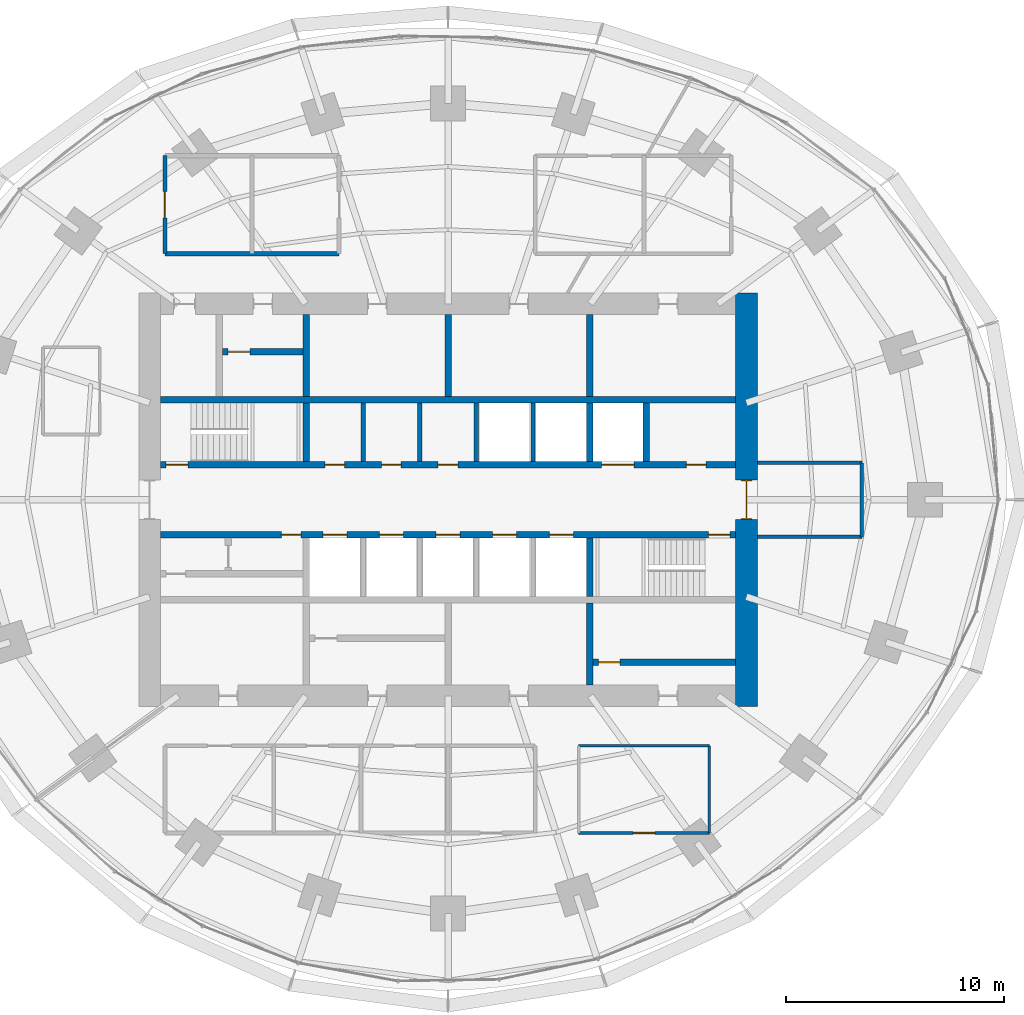
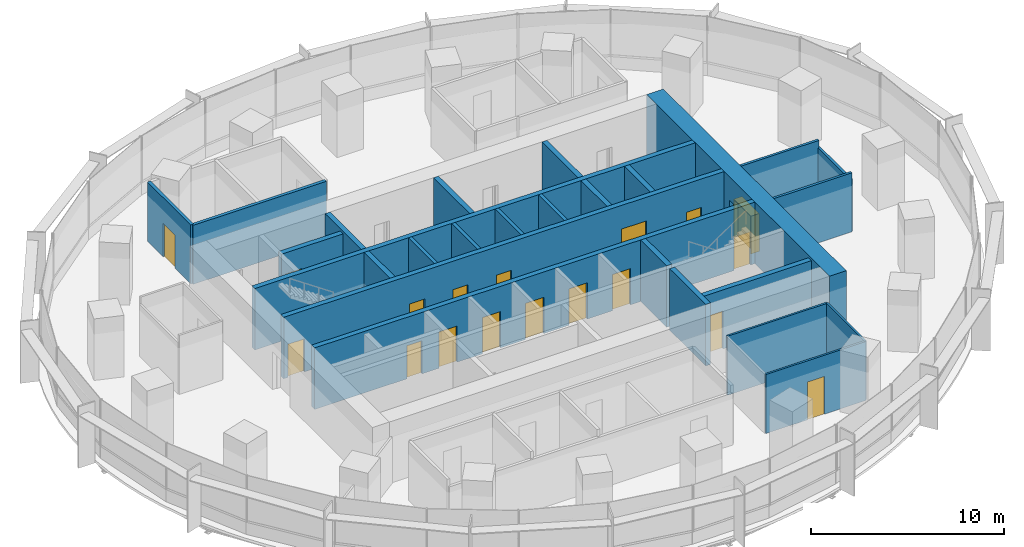
# One storey, part 11 of 14: 26 walls, 18 doors, 18 openings.
"""IFC4 building model written with IfcOpenShell, lengths in metres."""

from ifc_helpers import new_model, si_unit, direction, frame, frame_2d, origin, place, context, subcontext, project, spatial, rectangle, extrude, material, layer, layer_set, type_object, element, fill, save


model = new_model("IFC4")

# Units and contexts
model_context = context("Model", 3, precision=1e-05, world=origin(), true_north=direction((0.0, 1.0)))
body_context = subcontext(model_context, "Body", "Model", "MODEL_VIEW")
ifc_project = project(units=[si_unit("LENGTHUNIT", "METRE"), si_unit("AREAUNIT", "SQUARE_METRE"), si_unit("VOLUMEUNIT", "CUBIC_METRE"), si_unit("PLANEANGLEUNIT", "RADIAN"), si_unit("MASSUNIT", "GRAM", prefix="KILO")], contexts=[model_context])

# Site, building, storey
site_placement = place(None, origin())
site = spatial("IfcSite", under=ifc_project, at=site_placement, CompositionType="ELEMENT")
building_placement = place(site_placement, origin())
building = spatial("IfcBuilding", under=site, at=building_placement, Name="Marramba Exchange Tower", CompositionType="ELEMENT")
storey_placement = place(building_placement, frame((0.0, 0.0, 143.10009765625)))
storey = spatial("IfcBuildingStorey", under=building, at=storey_placement, Name="L34", CompositionType="ELEMENT", Elevation=143.10009765625)

# Walls
ifc_material_1 = material(Name="Concrete N50", Category="concrete")
ifc_layer_1 = layer(ifc_material_1, 0.199951171875)
ifc_layer_set_1 = layer_set([ifc_layer_1], Name="Core shaft wall 200")
wall_type_1 = type_object("IfcWallType", Name="Core shaft wall 200", PredefinedType="SHEAR", material=ifc_layer_set_1)
for number, where, z_axis, x_axis, name in (
    (1, (-3.89990234375, 1.75, 0.0), (0.0, 0.0, 1.0), (0.0, 1.0, 0.0), "Core wall SHN1 L34"),
    (2, (-1.300048828125, 1.75, 0.0), (0.0, 0.0, 1.0), (0.0, 1.0, 0.0), "Core wall SHN2 L34"),
    (3, (1.300048828125, 1.75, 0.0), (0.0, 0.0, 1.0), (0.0, 1.0, 0.0), "Core wall SHN3 L34"),
    (4, (3.89990234375, 1.75, 0.0), (0.0, 0.0, 1.0), (0.0, 1.0, 0.0), "Core wall SHN4 L34"),
):
    element("IfcWall", number, at=place(storey_placement, frame(where, z_axis=z_axis, x_axis=x_axis)), inside=storey, type_object=wall_type_1, Name=name, PredefinedType="SHEAR", context=body_context, shape_type="SweptSolid", body=[
        extrude(rectangle(XDim=2.699951171875, YDim=0.199951171875, at=frame_2d((1.35009765625, 0.0))), origin(), (0.0, 0.0, 1.0), 3.89990234375),
    ])

# Wall, opening, door
ifc_layer_2 = layer(ifc_material_1, 1.0)
ifc_layer_set_2 = layer_set([ifc_layer_2], Name="Core wall 1000")
wall_type_2 = type_object("IfcWallType", Name="Core wall 1000", PredefinedType="SHEAR", material=ifc_layer_set_2)
wall_1_placement = place(storey_placement, frame((13.699951171875, -9.5, 0.0), z_axis=(0.0, 0.0, 1.0), x_axis=(0.0, 1.0, 0.0)))
wall_1 = element("IfcWall", 5, at=wall_1_placement, inside=storey, type_object=wall_type_2, Name="Core wall E L34", PredefinedType="SHEAR", context=body_context, shape_type="SweptSolid", body=[
    extrude(rectangle(XDim=19.0, YDim=1.0, at=frame_2d((9.5, 0.0))), origin(), (0.0, 0.0, 1.0), 3.89990234375),
])
opening_1_placement = place(wall_1_placement, frame((8.60009765625, 0.0, 0.0)))
opening_1 = element("IfcOpeningElement", 6, at=opening_1_placement, cuts=wall_1, Name="Opening D1", PredefinedType="OPENING", context=body_context, shape_type="SweptSolid", body=[
    extrude(rectangle(XDim=1.800048828125, YDim=2.39990234375, at=frame_2d((0.89990234375, 1.199951171875))), frame((0.0, 0.510009765625, 0.0), z_axis=(0.0, -1.0, 0.0), x_axis=(1.0, 0.0, 0.0)), (0.0, 0.0, 1.0), 1.02001953125),
])
ifc_material_2 = material(Name="Steel-framed door", Category="steel")
door_type_1 = type_object("IfcDoorType", Name="Lobby exit door 1800x2400", OperationType="DOUBLE_DOOR_SINGLE_SWING", PredefinedType="DOOR", material=ifc_material_2)
door_1_placement = place(opening_1_placement, frame((1.800048828125, 0.0, 0.0), z_axis=(0.0, 0.0, 1.0), x_axis=(-1.0, 0.0, 0.0)))
door_1 = element("IfcDoor", 7, at=door_1_placement, inside=storey, type_object=door_type_1, Name="D1 lobby exit east L34", OperationType="DOUBLE_DOOR_SINGLE_SWING", OverallHeight=2.39990234375, OverallWidth=1.800048828125, PredefinedType="DOOR", context=body_context, shape_type="SweptSolid", body=[
    extrude(rectangle(XDim=1.719970703125, YDim=2.35986328125, at=frame_2d((0.900146484375, 1.179931640625))), frame((0.0, 0.025146484375, 0.0), z_axis=(0.0, -1.0, 0.0), x_axis=(1.0, 0.0, 0.0)), (0.0, 0.0, 1.0), 0.050048828125),
    extrude(rectangle(XDim=0.04, YDim=2.39990234375, at=frame_2d((1.780029296875, 1.199951171875))), frame((0.0, 0.25, 0.0), z_axis=(0.0, -1.0, 0.0), x_axis=(1.0, 0.0, 0.0)), (0.0, 0.0, 1.0), 0.5),
    extrude(rectangle(XDim=0.04, YDim=2.39990234375, at=frame_2d((0.02001953125, 1.199951171875))), frame((0.0, 0.25, 0.0), z_axis=(0.0, -1.0, 0.0), x_axis=(1.0, 0.0, 0.0)), (0.0, 0.0, 1.0), 0.5),
    extrude(rectangle(XDim=1.719970703125, YDim=0.04, at=frame_2d((0.900146484375, 2.3798828125))), frame((0.0, 0.25, 0.0), z_axis=(0.0, -1.0, 0.0), x_axis=(1.0, 0.0, 0.0)), (0.0, 0.0, 1.0), 0.5),
])
fill(opening_1, door_1)

# Wall, openings, doors
ifc_layer_3 = layer(ifc_material_1, 0.300048828125)
ifc_layer_set_3 = layer_set([ifc_layer_3], Name="Core wall 300")
wall_type_3 = type_object("IfcWallType", Name="Core wall 300", PredefinedType="SHEAR", material=ifc_layer_set_3)
wall_2_placement = place(storey_placement, frame((-13.199951171875, 1.60009765625, 0.0), z_axis=(0.0, 0.0, 1.0), x_axis=(1.0, 0.0, 0.0)))
wall_2 = element("IfcWall", 8, at=wall_2_placement, inside=storey, type_object=wall_type_3, Name="Core wall LN L34", PredefinedType="SHEAR", context=body_context, shape_type="SweptSolid", body=[
    extrude(rectangle(XDim=26.39990234375, YDim=0.300048828125, at=frame_2d((13.199951171875, 0.0))), origin(), (0.0, 0.0, 1.0), 3.89990234375),
])
opening_2_placement = place(wall_2_placement, frame((0.25, 0.0, 0.0)))
opening_2 = element("IfcOpeningElement", 9, at=opening_2_placement, cuts=wall_2, Name="Opening D2", PredefinedType="OPENING", context=body_context, shape_type="SweptSolid", body=[
    extrude(rectangle(XDim=1.0, YDim=2.10009765625, at=frame_2d((0.5, 1.050048828125))), frame((0.0, 0.159912109375, 0.0), z_axis=(0.0, -1.0, 0.0), x_axis=(1.0, 0.0, 0.0)), (0.0, 0.0, 1.0), 0.320068359375),
])
opening_3_placement = place(wall_2_placement, frame((20.25, 0.0, 0.0)))
opening_3 = element("IfcOpeningElement", 10, at=opening_3_placement, cuts=wall_2, Name="Opening LD3", PredefinedType="OPENING", context=body_context, shape_type="SweptSolid", body=[
    extrude(rectangle(XDim=1.5, YDim=2.39990234375, at=frame_2d((0.75, 1.199951171875))), frame((0.0, 0.159912109375, 0.0), z_axis=(0.0, -1.0, 0.0), x_axis=(1.0, 0.0, 0.0)), (0.0, 0.0, 1.0), 0.320068359375),
])
opening_4_placement = place(wall_2_placement, frame((7.550048828125, 0.0, 0.0)))
opening_4 = element("IfcOpeningElement", 11, at=opening_4_placement, cuts=wall_2, Name="Opening D5", PredefinedType="OPENING", context=body_context, shape_type="SweptSolid", body=[
    extrude(rectangle(XDim=0.89990234375, YDim=2.10009765625, at=frame_2d((0.449951171875, 1.050048828125))), frame((0.0, 0.159912109375, 0.0), z_axis=(0.0, -1.0, 0.0), x_axis=(1.0, 0.0, 0.0)), (0.0, 0.0, 1.0), 0.320068359375),
])
opening_5_placement = place(wall_2_placement, frame((10.14990234375, 0.0, 0.0)))
opening_5 = element("IfcOpeningElement", 12, at=opening_5_placement, cuts=wall_2, Name="Opening D5", PredefinedType="OPENING", context=body_context, shape_type="SweptSolid", body=[
    extrude(rectangle(XDim=0.89990234375, YDim=2.10009765625, at=frame_2d((0.449951171875, 1.050048828125))), frame((0.0, 0.159912109375, 0.0), z_axis=(0.0, -1.0, 0.0), x_axis=(1.0, 0.0, 0.0)), (0.0, 0.0, 1.0), 0.320068359375),
])
opening_6_placement = place(wall_2_placement, frame((12.75, 0.0, 0.0)))
opening_6 = element("IfcOpeningElement", 13, at=opening_6_placement, cuts=wall_2, Name="Opening D5", PredefinedType="OPENING", context=body_context, shape_type="SweptSolid", body=[
    extrude(rectangle(XDim=0.89990234375, YDim=2.10009765625, at=frame_2d((0.449951171875, 1.050048828125))), frame((0.0, 0.159912109375, 0.0), z_axis=(0.0, -1.0, 0.0), x_axis=(1.0, 0.0, 0.0)), (0.0, 0.0, 1.0), 0.320068359375),
])
opening_7_placement = place(wall_2_placement, frame((24.14990234375, 0.0, 0.0)))
opening_7 = element("IfcOpeningElement", 14, at=opening_7_placement, cuts=wall_2, Name="Opening D5", PredefinedType="OPENING", context=body_context, shape_type="SweptSolid", body=[
    extrude(rectangle(XDim=0.89990234375, YDim=2.10009765625, at=frame_2d((0.449951171875, 1.050048828125))), frame((0.0, 0.159912109375, 0.0), z_axis=(0.0, -1.0, 0.0), x_axis=(1.0, 0.0, 0.0)), (0.0, 0.0, 1.0), 0.320068359375),
])
door_type_2 = type_object("IfcDoorType", Name="Goods lift landing door 1500x2400", OperationType="SLIDING_TO_LEFT", PredefinedType="DOOR", material=ifc_material_2)
door_2_placement = place(opening_3_placement, origin())
door_2 = element("IfcDoor", 15, at=door_2_placement, inside=storey, type_object=door_type_2, Name="GL1 landing door L34", OperationType="SLIDING_TO_LEFT", OverallHeight=2.39990234375, OverallWidth=1.5, PredefinedType="DOOR", context=body_context, shape_type="SweptSolid", body=[
    extrude(rectangle(XDim=1.5, YDim=2.39990234375, at=frame_2d((0.75, 1.199951171875))), frame((0.0, 0.02490234375, 0.0), z_axis=(0.0, -1.0, 0.0), x_axis=(1.0, 0.0, 0.0)), (0.0, 0.0, 1.0), 0.050048828125),
])
fill(opening_3, door_2)
door_type_3 = type_object("IfcDoorType", Name="Service door 900x2100", OperationType="SINGLE_SWING_LEFT", PredefinedType="DOOR", material=ifc_material_2)
door_3_placement = place(opening_4_placement, origin())
door_3 = element("IfcDoor", 16, at=door_3_placement, inside=storey, type_object=door_type_3, Name="D5 parcel room L34", OperationType="SINGLE_SWING_RIGHT", OverallHeight=2.10009765625, OverallWidth=0.89990234375, PredefinedType="DOOR", context=body_context, shape_type="SweptSolid", body=[
    extrude(rectangle(XDim=0.89990234375, YDim=2.10009765625, at=frame_2d((0.449951171875, 1.050048828125))), frame((0.0, 0.02490234375, 0.0), z_axis=(0.0, -1.0, 0.0), x_axis=(1.0, 0.0, 0.0)), (0.0, 0.0, 1.0), 0.050048828125),
])
fill(opening_4, door_3)
door_4_placement = place(opening_5_placement, origin())
door_4 = element("IfcDoor", 17, at=door_4_placement, inside=storey, type_object=door_type_3, Name="D5 stationery store L34", OperationType="SINGLE_SWING_RIGHT", OverallHeight=2.10009765625, OverallWidth=0.89990234375, PredefinedType="DOOR", context=body_context, shape_type="SweptSolid", body=[
    extrude(rectangle(XDim=0.89990234375, YDim=2.10009765625, at=frame_2d((0.449951171875, 1.050048828125))), frame((0.0, 0.02490234375, 0.0), z_axis=(0.0, -1.0, 0.0), x_axis=(1.0, 0.0, 0.0)), (0.0, 0.0, 1.0), 0.050048828125),
])
fill(opening_5, door_4)
door_5_placement = place(opening_6_placement, origin())
door_5 = element("IfcDoor", 18, at=door_5_placement, inside=storey, type_object=door_type_3, Name="D5 switch room L34", OperationType="SINGLE_SWING_RIGHT", OverallHeight=2.10009765625, OverallWidth=0.89990234375, PredefinedType="DOOR", context=body_context, shape_type="SweptSolid", body=[
    extrude(rectangle(XDim=0.89990234375, YDim=2.10009765625, at=frame_2d((0.449951171875, 1.050048828125))), frame((0.0, 0.02490234375, 0.0), z_axis=(0.0, -1.0, 0.0), x_axis=(1.0, 0.0, 0.0)), (0.0, 0.0, 1.0), 0.050048828125),
])
fill(opening_6, door_5)
door_6_placement = place(opening_7_placement, origin())
door_6 = element("IfcDoor", 19, at=door_6_placement, inside=storey, type_object=door_type_3, Name="D5 riser L34", OperationType="SINGLE_SWING_RIGHT", OverallHeight=2.10009765625, OverallWidth=0.89990234375, PredefinedType="DOOR", context=body_context, shape_type="SweptSolid", body=[
    extrude(rectangle(XDim=0.89990234375, YDim=2.10009765625, at=frame_2d((0.449951171875, 1.050048828125))), frame((0.0, 0.02490234375, 0.0), z_axis=(0.0, -1.0, 0.0), x_axis=(1.0, 0.0, 0.0)), (0.0, 0.0, 1.0), 0.050048828125),
])
fill(opening_7, door_6)
door_type_4 = type_object("IfcDoorType", Name="Stair door 1000x2100", OperationType="SINGLE_SWING_LEFT", PredefinedType="DOOR", material=ifc_material_2)
door_7_placement = place(opening_2_placement, origin())
door_7 = element("IfcDoor", 20, at=door_7_placement, inside=storey, type_object=door_type_4, Name="D2 stair ST1 L34", OperationType="SINGLE_SWING_LEFT", OverallHeight=2.10009765625, OverallWidth=1.0, PredefinedType="DOOR", context=body_context, shape_type="SweptSolid", body=[
    extrude(rectangle(XDim=1.0, YDim=2.10009765625, at=frame_2d((0.5, 1.050048828125))), frame((0.0, 0.02490234375, 0.0), z_axis=(0.0, -1.0, 0.0), x_axis=(1.0, 0.0, 0.0)), (0.0, 0.0, 1.0), 0.050048828125),
])
fill(opening_2, door_7)

wall_3_placement = place(storey_placement, frame((-13.199951171875, -1.60009765625, 0.0), z_axis=(0.0, 0.0, 1.0), x_axis=(1.0, 0.0, 0.0)))
wall_3 = element("IfcWall", 21, at=wall_3_placement, inside=storey, type_object=wall_type_3, Name="Core wall LS L34", PredefinedType="SHEAR", context=body_context, shape_type="SweptSolid", body=[
    extrude(rectangle(XDim=26.39990234375, YDim=0.300048828125, at=frame_2d((13.199951171875, 0.0))), origin(), (0.0, 0.0, 1.0), 3.89990234375),
])
opening_8_placement = place(wall_3_placement, frame((25.14990234375, 0.0, 0.0)))
opening_8 = element("IfcOpeningElement", 22, at=opening_8_placement, cuts=wall_3, Name="Opening D2", PredefinedType="OPENING", context=body_context, shape_type="SweptSolid", body=[
    extrude(rectangle(XDim=1.0, YDim=2.10009765625, at=frame_2d((0.5, 1.050048828125))), frame((0.0, 0.159912109375, 0.0), z_axis=(0.0, -1.0, 0.0), x_axis=(1.0, 0.0, 0.0)), (0.0, 0.0, 1.0), 0.320068359375),
])
opening_9_placement = place(wall_3_placement, frame((7.449951171875, 0.0, 0.0)))
opening_9 = element("IfcOpeningElement", 23, at=opening_9_placement, cuts=wall_3, Name="Opening LD1", PredefinedType="OPENING", context=body_context, shape_type="SweptSolid", body=[
    extrude(rectangle(XDim=1.10009765625, YDim=2.300048828125, at=frame_2d((0.550048828125, 1.14990234375))), frame((0.0, 0.159912109375, 0.0), z_axis=(0.0, -1.0, 0.0), x_axis=(1.0, 0.0, 0.0)), (0.0, 0.0, 1.0), 0.320068359375),
])
opening_10_placement = place(wall_3_placement, frame((10.050048828125, 0.0, 0.0)))
opening_10 = element("IfcOpeningElement", 24, at=opening_10_placement, cuts=wall_3, Name="Opening LD1", PredefinedType="OPENING", context=body_context, shape_type="SweptSolid", body=[
    extrude(rectangle(XDim=1.10009765625, YDim=2.300048828125, at=frame_2d((0.550048828125, 1.14990234375))), frame((0.0, 0.159912109375, 0.0), z_axis=(0.0, -1.0, 0.0), x_axis=(1.0, 0.0, 0.0)), (0.0, 0.0, 1.0), 0.320068359375),
])
opening_11_placement = place(wall_3_placement, frame((12.64990234375, 0.0, 0.0)))
opening_11 = element("IfcOpeningElement", 25, at=opening_11_placement, cuts=wall_3, Name="Opening LD1", PredefinedType="OPENING", context=body_context, shape_type="SweptSolid", body=[
    extrude(rectangle(XDim=1.10009765625, YDim=2.300048828125, at=frame_2d((0.550048828125, 1.14990234375))), frame((0.0, 0.159912109375, 0.0), z_axis=(0.0, -1.0, 0.0), x_axis=(1.0, 0.0, 0.0)), (0.0, 0.0, 1.0), 0.320068359375),
])
opening_12_placement = place(wall_3_placement, frame((15.25, 0.0, 0.0)))
opening_12 = element("IfcOpeningElement", 26, at=opening_12_placement, cuts=wall_3, Name="Opening LD2", PredefinedType="OPENING", context=body_context, shape_type="SweptSolid", body=[
    extrude(rectangle(XDim=1.10009765625, YDim=2.300048828125, at=frame_2d((0.550048828125, 1.14990234375))), frame((0.0, 0.159912109375, 0.0), z_axis=(0.0, -1.0, 0.0), x_axis=(1.0, 0.0, 0.0)), (0.0, 0.0, 1.0), 0.320068359375),
])
opening_13_placement = place(wall_3_placement, frame((17.85009765625, 0.0, 0.0)))
opening_13 = element("IfcOpeningElement", 27, at=opening_13_placement, cuts=wall_3, Name="Opening LD2", PredefinedType="OPENING", context=body_context, shape_type="SweptSolid", body=[
    extrude(rectangle(XDim=1.10009765625, YDim=2.300048828125, at=frame_2d((0.550048828125, 1.14990234375))), frame((0.0, 0.159912109375, 0.0), z_axis=(0.0, -1.0, 0.0), x_axis=(1.0, 0.0, 0.0)), (0.0, 0.0, 1.0), 0.320068359375),
])
opening_14_placement = place(wall_3_placement, frame((5.550048828125, 0.0, 0.0)))
opening_14 = element("IfcOpeningElement", 28, at=opening_14_placement, cuts=wall_3, Name="Opening D5", PredefinedType="OPENING", context=body_context, shape_type="SweptSolid", body=[
    extrude(rectangle(XDim=0.89990234375, YDim=2.10009765625, at=frame_2d((0.449951171875, 1.050048828125))), frame((0.0, 0.159912109375, 0.0), z_axis=(0.0, -1.0, 0.0), x_axis=(1.0, 0.0, 0.0)), (0.0, 0.0, 1.0), 0.320068359375),
])
door_type_5 = type_object("IfcDoorType", Name="Emergency lift landing door 1100x2300", OperationType="SLIDING_TO_LEFT", PredefinedType="DOOR", material=ifc_material_2)
door_8_placement = place(opening_12_placement, frame((1.10009765625, 0.0, 0.0), z_axis=(0.0, 0.0, 1.0), x_axis=(-1.0, 0.0, 0.0)))
door_8 = element("IfcDoor", 29, at=door_8_placement, inside=storey, type_object=door_type_5, Name="FL1 landing door L34", OperationType="SLIDING_TO_RIGHT", OverallHeight=2.300048828125, OverallWidth=1.10009765625, PredefinedType="DOOR", context=body_context, shape_type="SweptSolid", body=[
    extrude(rectangle(XDim=1.10009765625, YDim=2.300048828125, at=frame_2d((0.550048828125, 1.14990234375))), frame((0.0, 0.025146484375, 0.0), z_axis=(0.0, -1.0, 0.0), x_axis=(1.0, 0.0, 0.0)), (0.0, 0.0, 1.0), 0.050048828125),
])
fill(opening_12, door_8)
door_9_placement = place(opening_13_placement, frame((1.10009765625, 0.0, 0.0), z_axis=(0.0, 0.0, 1.0), x_axis=(-1.0, 0.0, 0.0)))
door_9 = element("IfcDoor", 30, at=door_9_placement, inside=storey, type_object=door_type_5, Name="FL2 landing door L34", OperationType="SLIDING_TO_LEFT", OverallHeight=2.300048828125, OverallWidth=1.10009765625, PredefinedType="DOOR", context=body_context, shape_type="SweptSolid", body=[
    extrude(rectangle(XDim=1.10009765625, YDim=2.300048828125, at=frame_2d((0.550048828125, 1.14990234375))), frame((0.0, 0.025146484375, 0.0), z_axis=(0.0, -1.0, 0.0), x_axis=(1.0, 0.0, 0.0)), (0.0, 0.0, 1.0), 0.050048828125),
])
fill(opening_13, door_9)
door_type_6 = type_object("IfcDoorType", Name="Lift landing door 1100x2300", OperationType="SLIDING_TO_LEFT", PredefinedType="DOOR", material=ifc_material_2)
door_10_placement = place(opening_9_placement, frame((1.10009765625, 0.0, 0.0), z_axis=(0.0, 0.0, 1.0), x_axis=(-1.0, 0.0, 0.0)))
door_10 = element("IfcDoor", 31, at=door_10_placement, inside=storey, type_object=door_type_6, Name="LB1 landing door L34", OperationType="SLIDING_TO_LEFT", OverallHeight=2.300048828125, OverallWidth=1.10009765625, PredefinedType="DOOR", context=body_context, shape_type="SweptSolid", body=[
    extrude(rectangle(XDim=1.10009765625, YDim=2.300048828125, at=frame_2d((0.550048828125, 1.14990234375))), frame((0.0, 0.025146484375, 0.0), z_axis=(0.0, -1.0, 0.0), x_axis=(1.0, 0.0, 0.0)), (0.0, 0.0, 1.0), 0.050048828125),
])
fill(opening_9, door_10)
door_11_placement = place(opening_10_placement, frame((1.10009765625, 0.0, 0.0), z_axis=(0.0, 0.0, 1.0), x_axis=(-1.0, 0.0, 0.0)))
door_11 = element("IfcDoor", 32, at=door_11_placement, inside=storey, type_object=door_type_6, Name="LB2 landing door L34", OperationType="SLIDING_TO_RIGHT", OverallHeight=2.300048828125, OverallWidth=1.10009765625, PredefinedType="DOOR", context=body_context, shape_type="SweptSolid", body=[
    extrude(rectangle(XDim=1.10009765625, YDim=2.300048828125, at=frame_2d((0.550048828125, 1.14990234375))), frame((0.0, 0.025146484375, 0.0), z_axis=(0.0, -1.0, 0.0), x_axis=(1.0, 0.0, 0.0)), (0.0, 0.0, 1.0), 0.050048828125),
])
fill(opening_10, door_11)
door_12_placement = place(opening_11_placement, frame((1.10009765625, 0.0, 0.0), z_axis=(0.0, 0.0, 1.0), x_axis=(-1.0, 0.0, 0.0)))
door_12 = element("IfcDoor", 33, at=door_12_placement, inside=storey, type_object=door_type_6, Name="LB3 landing door L34", OperationType="SLIDING_TO_RIGHT", OverallHeight=2.300048828125, OverallWidth=1.10009765625, PredefinedType="DOOR", context=body_context, shape_type="SweptSolid", body=[
    extrude(rectangle(XDim=1.10009765625, YDim=2.300048828125, at=frame_2d((0.550048828125, 1.14990234375))), frame((0.0, 0.025146484375, 0.0), z_axis=(0.0, -1.0, 0.0), x_axis=(1.0, 0.0, 0.0)), (0.0, 0.0, 1.0), 0.050048828125),
])
fill(opening_11, door_12)
door_13_placement = place(opening_14_placement, frame((0.89990234375, 0.0, 0.0), z_axis=(0.0, 0.0, 1.0), x_axis=(-1.0, 0.0, 0.0)))
door_13 = element("IfcDoor", 34, at=door_13_placement, inside=storey, type_object=door_type_3, Name="D5 electrical riser L34", OperationType="SINGLE_SWING_LEFT", OverallHeight=2.10009765625, OverallWidth=0.89990234375, PredefinedType="DOOR", context=body_context, shape_type="SweptSolid", body=[
    extrude(rectangle(XDim=0.89990234375, YDim=2.10009765625, at=frame_2d((0.449951171875, 1.050048828125))), frame((0.0, 0.025146484375, 0.0), z_axis=(0.0, -1.0, 0.0), x_axis=(1.0, 0.0, 0.0)), (0.0, 0.0, 1.0), 0.050048828125),
])
fill(opening_14, door_13)
door_14_placement = place(opening_8_placement, frame((1.0, 0.0, 0.0), z_axis=(0.0, 0.0, 1.0), x_axis=(-1.0, 0.0, 0.0)))
door_14 = element("IfcDoor", 35, at=door_14_placement, inside=storey, type_object=door_type_4, Name="D2 stair ST2 L34", OperationType="SINGLE_SWING_LEFT", OverallHeight=2.10009765625, OverallWidth=1.0, PredefinedType="DOOR", context=body_context, shape_type="SweptSolid", body=[
    extrude(rectangle(XDim=1.0, YDim=2.10009765625, at=frame_2d((0.5, 1.050048828125))), frame((0.0, 0.025146484375, 0.0), z_axis=(0.0, -1.0, 0.0), x_axis=(1.0, 0.0, 0.0)), (0.0, 0.0, 1.0), 0.050048828125),
])
fill(opening_8, door_14)

# Walls
wall_4_placement = place(storey_placement, frame((-13.199951171875, 4.60009765625, 0.0), z_axis=(0.0, 0.0, 1.0), x_axis=(1.0, 0.0, 0.0)))
element("IfcWall", 36, at=wall_4_placement, inside=storey, type_object=wall_type_3, Name="Core wall BN L34", PredefinedType="SHEAR", context=body_context, shape_type="SweptSolid", body=[
    extrude(rectangle(XDim=26.39990234375, YDim=0.300048828125, at=frame_2d((13.199951171875, 0.0))), origin(), (0.0, 0.0, 1.0), 3.89990234375),
])
wall_5_placement = place(storey_placement, frame((-6.5, 1.75, 0.0), z_axis=(0.0, 0.0, 1.0), x_axis=(0.0, 1.0, 0.0)))
element("IfcWall", 37, at=wall_5_placement, inside=storey, type_object=wall_type_3, Name="Core wall X0Na L34", PredefinedType="SHEAR", context=body_context, shape_type="SweptSolid", body=[
    extrude(rectangle(XDim=2.699951171875, YDim=0.300048828125, at=frame_2d((1.35009765625, 0.0))), origin(), (0.0, 0.0, 1.0), 3.89990234375),
])
wall_6_placement = place(storey_placement, frame((-6.5, 4.75, 0.0), z_axis=(0.0, 0.0, 1.0), x_axis=(0.0, 1.0, 0.0)))
element("IfcWall", 38, at=wall_6_placement, inside=storey, type_object=wall_type_3, Name="Core wall X0Nb L34", PredefinedType="SHEAR", context=body_context, shape_type="SweptSolid", body=[
    extrude(rectangle(XDim=3.75, YDim=0.300048828125, at=frame_2d((1.875, 0.0))), origin(), (0.0, 0.0, 1.0), 3.89990234375),
])
wall_7_placement = place(storey_placement, frame((6.5, 1.75, 0.0), z_axis=(0.0, 0.0, 1.0), x_axis=(0.0, 1.0, 0.0)))
element("IfcWall", 39, at=wall_7_placement, inside=storey, type_object=wall_type_3, Name="Core wall X1Na L34", PredefinedType="SHEAR", context=body_context, shape_type="SweptSolid", body=[
    extrude(rectangle(XDim=2.699951171875, YDim=0.300048828125, at=frame_2d((1.35009765625, 0.0))), origin(), (0.0, 0.0, 1.0), 3.89990234375),
])
for number, where, z_axis, x_axis, name in (
    (40, (6.5, 4.75, 0.0), (0.0, 0.0, 1.0), (0.0, 1.0, 0.0), "Core wall X1Nb L34"),
    (41, (0.0, 4.75, 0.0), (0.0, 0.0, 1.0), (0.0, 1.0, 0.0), "Core wall MN L34"),
):
    element("IfcWall", number, at=place(storey_placement, frame(where, z_axis=z_axis, x_axis=x_axis)), inside=storey, type_object=wall_type_3, Name=name, PredefinedType="SHEAR", context=body_context, shape_type="SweptSolid", body=[
        extrude(rectangle(XDim=3.75, YDim=0.300048828125, at=frame_2d((1.875, 0.0))), origin(), (0.0, 0.0, 1.0), 3.89990234375),
    ])
wall_8_placement = place(storey_placement, frame((6.5, -1.75, 0.0), z_axis=(0.0, 0.0, 1.0), x_axis=(0.0, -1.0, 0.0)))
element("IfcWall", 42, at=wall_8_placement, inside=storey, type_object=wall_type_3, Name="Core wall X1Sa L34", PredefinedType="SHEAR", context=body_context, shape_type="SweptSolid", body=[
    extrude(rectangle(XDim=2.699951171875, YDim=0.300048828125, at=frame_2d((1.35009765625, 0.0))), origin(), (0.0, 0.0, 1.0), 3.89990234375),
])
wall_9_placement = place(storey_placement, frame((6.5, -4.75, 0.0), z_axis=(0.0, 0.0, 1.0), x_axis=(0.0, -1.0, 0.0)))
element("IfcWall", 43, at=wall_9_placement, inside=storey, type_object=wall_type_3, Name="Core wall X1Sb L34", PredefinedType="SHEAR", context=body_context, shape_type="SweptSolid", body=[
    extrude(rectangle(XDim=3.75, YDim=0.300048828125, at=frame_2d((1.875, 0.0))), origin(), (0.0, 0.0, 1.0), 3.89990234375),
])
wall_10_placement = place(storey_placement, frame((9.10009765625, 1.75, 0.0), z_axis=(0.0, 0.0, 1.0), x_axis=(0.0, 1.0, 0.0)))
element("IfcWall", 44, at=wall_10_placement, inside=storey, type_object=wall_type_3, Name="Core wall ED L34", PredefinedType="SHEAR", context=body_context, shape_type="SweptSolid", body=[
    extrude(rectangle(XDim=2.699951171875, YDim=0.300048828125, at=frame_2d((1.35009765625, 0.0))), origin(), (0.0, 0.0, 1.0), 3.89990234375),
])
ifc_material_3 = material(Name="Core-filled concrete blockwork, rendered", Category="masonry")
ifc_layer_4 = layer(ifc_material_3, 0.18994140625)
ifc_layer_set_4 = layer_set([ifc_layer_4], Name="Equipment room wall 190")
wall_type_4 = type_object("IfcWallType", Name="Equipment room wall 190", PredefinedType="SOLIDWALL", material=ifc_layer_set_4)
wall_11_placement = place(storey_placement, frame((-5.0, 11.300048828125, 0.0), z_axis=(0.0, 0.0, 1.0), x_axis=(-1.0, 0.0, 0.0)))
element("IfcWall", 45, at=wall_11_placement, inside=storey, type_object=wall_type_4, Name="Equipment room wall L34 26", PredefinedType="SOLIDWALL", context=body_context, shape_type="SweptSolid", body=[
    extrude(rectangle(XDim=8.0, YDim=0.18994140625, at=frame_2d((4.0, 0.0))), origin(), (0.0, 0.0, 1.0), 3.739990234375),
])

# Wall, opening, door
wall_12_placement = place(storey_placement, frame((-13.0, 11.300048828125, 0.0), z_axis=(0.0, 0.0, 1.0), x_axis=(0.0, 1.0, 0.0)))
wall_12 = element("IfcWall", 46, at=wall_12_placement, inside=storey, type_object=wall_type_4, Name="Equipment room wall L34 27", PredefinedType="SOLIDWALL", context=body_context, shape_type="SweptSolid", body=[
    extrude(rectangle(XDim=4.5, YDim=0.18994140625, at=frame_2d((2.25, 0.0))), origin(), (0.0, 0.0, 1.0), 3.739990234375),
])
opening_15_placement = place(wall_12_placement, frame((1.64990234375, 0.0, 0.0)))
opening_15 = element("IfcOpeningElement", 47, at=opening_15_placement, cuts=wall_12, Name="Opening D16", PredefinedType="OPENING", context=body_context, shape_type="SweptSolid", body=[
    extrude(rectangle(XDim=1.199951171875, YDim=2.10009765625, at=frame_2d((0.60009765625, 1.050048828125))), frame((0.0, 0.10498046875, 0.0), z_axis=(0.0, -1.0, 0.0), x_axis=(1.0, 0.0, 0.0)), (0.0, 0.0, 1.0), 0.2099609375),
])
door_type_7 = type_object("IfcDoorType", Name="Equipment room door 1200x2100", OperationType="SINGLE_SWING_LEFT", PredefinedType="DOOR", material=ifc_material_2)
door_15_placement = place(opening_15_placement, frame((1.199951171875, 0.0, 0.0), z_axis=(0.0, 0.0, 1.0), x_axis=(-1.0, 0.0, 0.0)))
door_15 = element("IfcDoor", 48, at=door_15_placement, inside=storey, type_object=door_type_7, Name="D16 Data Room 1 L34", OperationType="SINGLE_SWING_RIGHT", OverallHeight=2.10009765625, OverallWidth=1.199951171875, PredefinedType="DOOR", context=body_context, shape_type="SweptSolid", body=[
    extrude(rectangle(XDim=1.199951171875, YDim=2.10009765625, at=frame_2d((0.599853515625, 1.050048828125))), frame((0.0, 0.025146484375, 0.0), z_axis=(0.0, -1.0, 0.0), x_axis=(1.0, 0.0, 0.0)), (0.0, 0.0, 1.0), 0.050048828125),
])
fill(opening_15, door_15)

ifc_material_4 = material(Name="Plasterboard on steel studs", Category="steel")
ifc_layer_5 = layer(ifc_material_4, 0.1201171875)
ifc_layer_set_5 = layer_set([ifc_layer_5], Name="Partition 120")
wall_type_5 = type_object("IfcWallType", Name="Partition 120", PredefinedType="PARTITIONING", material=ifc_layer_set_5)
wall_13_placement = place(storey_placement, frame((12.0, -15.300048828125, 0.0), z_axis=(0.0, 0.0, 1.0), x_axis=(-1.0, 0.0, 0.0)))
wall_13 = element("IfcWall", 49, at=wall_13_placement, inside=storey, type_object=wall_type_5, Name="Partition L34 10", PredefinedType="PARTITIONING", context=body_context, shape_type="SweptSolid", body=[
    extrude(rectangle(XDim=6.0, YDim=0.1201171875, at=frame_2d((3.0, 0.0))), origin(), (0.0, 0.0, 1.0), 3.739990234375),
])
opening_16_placement = place(wall_13_placement, frame((2.5, 0.0, 0.0)))
opening_16 = element("IfcOpeningElement", 50, at=opening_16_placement, cuts=wall_13, Name="Opening D9", PredefinedType="OPENING", context=body_context, shape_type="SweptSolid", body=[
    extrude(rectangle(XDim=1.0, YDim=2.39990234375, at=frame_2d((0.5, 1.199951171875))), frame((0.0, 0.070068359375, 0.0), z_axis=(0.0, -1.0, 0.0), x_axis=(1.0, 0.0, 0.0)), (0.0, 0.0, 1.0), 0.14013671875),
])
ifc_material_5 = material(Name="Timber door", Category="wood")
door_type_8 = type_object("IfcDoorType", Name="Room door 1000x2400", OperationType="SINGLE_SWING_LEFT", PredefinedType="DOOR", material=ifc_material_5)
door_16_placement = place(opening_16_placement, frame((1.0, 0.0, 0.0), z_axis=(0.0, 0.0, 1.0), x_axis=(-1.0, 0.0, 0.0)))
door_16 = element("IfcDoor", 51, at=door_16_placement, inside=storey, type_object=door_type_8, Name="D9 Pantry L34", OperationType="SINGLE_SWING_RIGHT", OverallHeight=2.39990234375, OverallWidth=1.0, PredefinedType="DOOR", context=body_context, shape_type="SweptSolid", body=[
    extrude(rectangle(XDim=1.0, YDim=2.39990234375, at=frame_2d((0.5, 1.199951171875))), frame((0.0, 0.025146484375, 0.0), z_axis=(0.0, -1.0, 0.0), x_axis=(1.0, 0.0, 0.0)), (0.0, 0.0, 1.0), 0.050048828125),
])
fill(opening_16, door_16)

# Walls
wall_14_placement = place(storey_placement, frame((6.0, -11.300048828125, 0.0), z_axis=(0.0, 0.0, 1.0), x_axis=(1.0, 0.0, 0.0)))
element("IfcWall", 52, at=wall_14_placement, inside=storey, type_object=wall_type_5, Name="Partition L34 11", PredefinedType="PARTITIONING", context=body_context, shape_type="SweptSolid", body=[
    extrude(rectangle(XDim=6.0, YDim=0.1201171875, at=frame_2d((3.0, 0.0))), origin(), (0.0, 0.0, 1.0), 3.739990234375),
])
wall_15_placement = place(storey_placement, frame((12.0, -11.300048828125, 0.0), z_axis=(0.0, 0.0, 1.0), x_axis=(0.0, -1.0, 0.0)))
element("IfcWall", 53, at=wall_15_placement, inside=storey, type_object=wall_type_5, Name="Partition L34 12", PredefinedType="PARTITIONING", context=body_context, shape_type="SweptSolid", body=[
    extrude(rectangle(XDim=4.0, YDim=0.1201171875, at=frame_2d((2.0, 0.0))), origin(), (0.0, 0.0, 1.0), 3.739990234375),
])

# Wall, opening, door
ifc_material_6 = material(Name="Plasterboard on steel studs, insulated, unrated", Category="steel")
ifc_layer_6 = layer(ifc_material_6, 0.300048828125)
ifc_layer_set_6 = layer_set([ifc_layer_6], Name="Store partition 300")
wall_type_6 = type_object("IfcWallType", Name="Store partition 300", PredefinedType="PARTITIONING", material=ifc_layer_set_6)
wall_16_placement = place(storey_placement, frame((-10.35009765625, 6.800048828125, 0.0), z_axis=(0.0, 0.0, 1.0), x_axis=(1.0, 0.0, 0.0)))
wall_16 = element("IfcWall", 54, at=wall_16_placement, inside=storey, type_object=wall_type_6, Name="Store partition L34 cleaner", PredefinedType="PARTITIONING", context=body_context, shape_type="SweptSolid", body=[
    extrude(rectangle(XDim=3.7001953125, YDim=0.300048828125, at=frame_2d((1.85009765625, 0.0))), origin(), (0.0, 0.0, 1.0), 3.739990234375),
])
opening_17_placement = place(wall_16_placement, frame((0.25, 0.0, 0.0)))
opening_17 = element("IfcOpeningElement", 55, at=opening_17_placement, cuts=wall_16, Name="Opening D9", PredefinedType="OPENING", context=body_context, shape_type="SweptSolid", body=[
    extrude(rectangle(XDim=1.0, YDim=2.39990234375, at=frame_2d((0.5, 1.199951171875))), frame((0.0, 0.159912109375, 0.0), z_axis=(0.0, -1.0, 0.0), x_axis=(1.0, 0.0, 0.0)), (0.0, 0.0, 1.0), 0.320068359375),
])
door_17_placement = place(opening_17_placement, origin())
door_17 = element("IfcDoor", 56, at=door_17_placement, inside=storey, type_object=door_type_8, Name="D9 cleaning store L34", OperationType="SINGLE_SWING_LEFT", OverallHeight=2.39990234375, OverallWidth=1.0, PredefinedType="DOOR", context=body_context, shape_type="SweptSolid", body=[
    extrude(rectangle(XDim=1.0, YDim=2.39990234375, at=frame_2d((0.5, 1.199951171875))), frame((0.0, 0.02490234375, 0.0), z_axis=(0.0, -1.0, 0.0), x_axis=(1.0, 0.0, 0.0)), (0.0, 0.0, 1.0), 0.050048828125),
])
fill(opening_17, door_17)

wall_17_placement = place(storey_placement, frame((6.64990234375, -7.4599609375, 0.0), z_axis=(0.0, 0.0, 1.0), x_axis=(1.0, 0.0, 0.0)))
wall_17 = element("IfcWall", 57, at=wall_17_placement, inside=storey, type_object=wall_type_6, Name="Store partition L34 cstore", PredefinedType="PARTITIONING", context=body_context, shape_type="SweptSolid", body=[
    extrude(rectangle(XDim=6.550048828125, YDim=0.300048828125, at=frame_2d((3.27490234375, 0.0))), origin(), (0.0, 0.0, 1.0), 3.739990234375),
])
opening_18_placement = place(wall_17_placement, frame((0.25, 0.0, 0.0)))
opening_18 = element("IfcOpeningElement", 58, at=opening_18_placement, cuts=wall_17, Name="Opening D9", PredefinedType="OPENING", context=body_context, shape_type="SweptSolid", body=[
    extrude(rectangle(XDim=1.0, YDim=2.39990234375, at=frame_2d((0.5, 1.199951171875))), frame((0.0, 0.159912109375, 0.0), z_axis=(0.0, -1.0, 0.0), x_axis=(1.0, 0.0, 0.0)), (0.0, 0.0, 1.0), 0.320068359375),
])
door_18_placement = place(opening_18_placement, frame((1.0, 0.0, 0.0), z_axis=(0.0, 0.0, 1.0), x_axis=(-1.0, 0.0, 0.0)))
door_18 = element("IfcDoor", 59, at=door_18_placement, inside=storey, type_object=door_type_8, Name="D9 general store L34", OperationType="SINGLE_SWING_RIGHT", OverallHeight=2.39990234375, OverallWidth=1.0, PredefinedType="DOOR", context=body_context, shape_type="SweptSolid", body=[
    extrude(rectangle(XDim=1.0, YDim=2.39990234375, at=frame_2d((0.5, 1.199951171875))), frame((0.0, 0.025146484375, 0.0), z_axis=(0.0, -1.0, 0.0), x_axis=(1.0, 0.0, 0.0)), (0.0, 0.0, 1.0), 0.050048828125),
])
fill(opening_18, door_18)

# Walls
ifc_material_7 = material(Name="Fire-rated plasterboard on steel studs, acoustic insulation", Category="steel")
ifc_layer_7 = layer(ifc_material_7, 0.14990234375)
ifc_layer_set_7 = layer_set([ifc_layer_7], Name="Tenancy wall 150")
wall_type_7 = type_object("IfcWallType", Name="Tenancy wall 150", PredefinedType="PARTITIONING", material=ifc_layer_set_7)
wall_18_placement = place(storey_placement, frame((14.199951171875, -1.699951171875, 0.0), z_axis=(0.0, 0.0, 1.0), x_axis=(1.0, 0.0, 0.0)))
element("IfcWall", 60, at=wall_18_placement, inside=storey, type_object=wall_type_7, Name="Tenancy wall L34 13", PredefinedType="PARTITIONING", context=body_context, shape_type="SweptSolid", body=[
    extrude(rectangle(XDim=4.800048828125, YDim=0.14990234375, at=frame_2d((2.39990234375, 0.0))), origin(), (0.0, 0.0, 1.0), 3.739990234375),
])
wall_19_placement = place(storey_placement, frame((19.0, -1.699951171875, 0.0), z_axis=(0.0, 0.0, 1.0), x_axis=(0.0, 1.0, 0.0)))
element("IfcWall", 61, at=wall_19_placement, inside=storey, type_object=wall_type_7, Name="Tenancy wall L34 14", PredefinedType="PARTITIONING", context=body_context, shape_type="SweptSolid", body=[
    extrude(rectangle(XDim=3.39990234375, YDim=0.14990234375, at=frame_2d((1.699951171875, 0.0))), origin(), (0.0, 0.0, 1.0), 3.285888671875),
])
wall_20_placement = place(storey_placement, frame((19.0, 1.699951171875, 0.0), z_axis=(0.0, 0.0, 1.0), x_axis=(-1.0, 0.0, 0.0)))
element("IfcWall", 62, at=wall_20_placement, inside=storey, type_object=wall_type_7, Name="Tenancy wall L34 15", PredefinedType="PARTITIONING", context=body_context, shape_type="SweptSolid", body=[
    extrude(rectangle(XDim=4.800048828125, YDim=0.14990234375, at=frame_2d((2.39990234375, 0.0))), origin(), (0.0, 0.0, 1.0), 3.739990234375),
])

save(model, "model.ifc")
